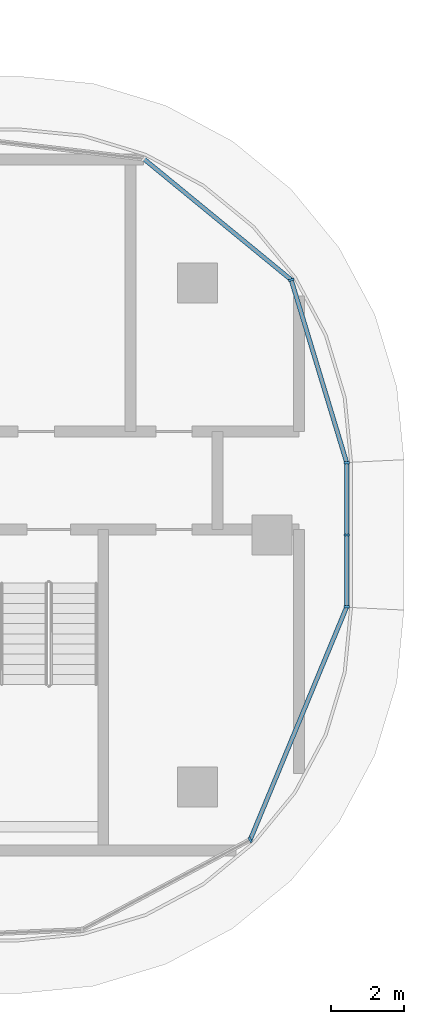
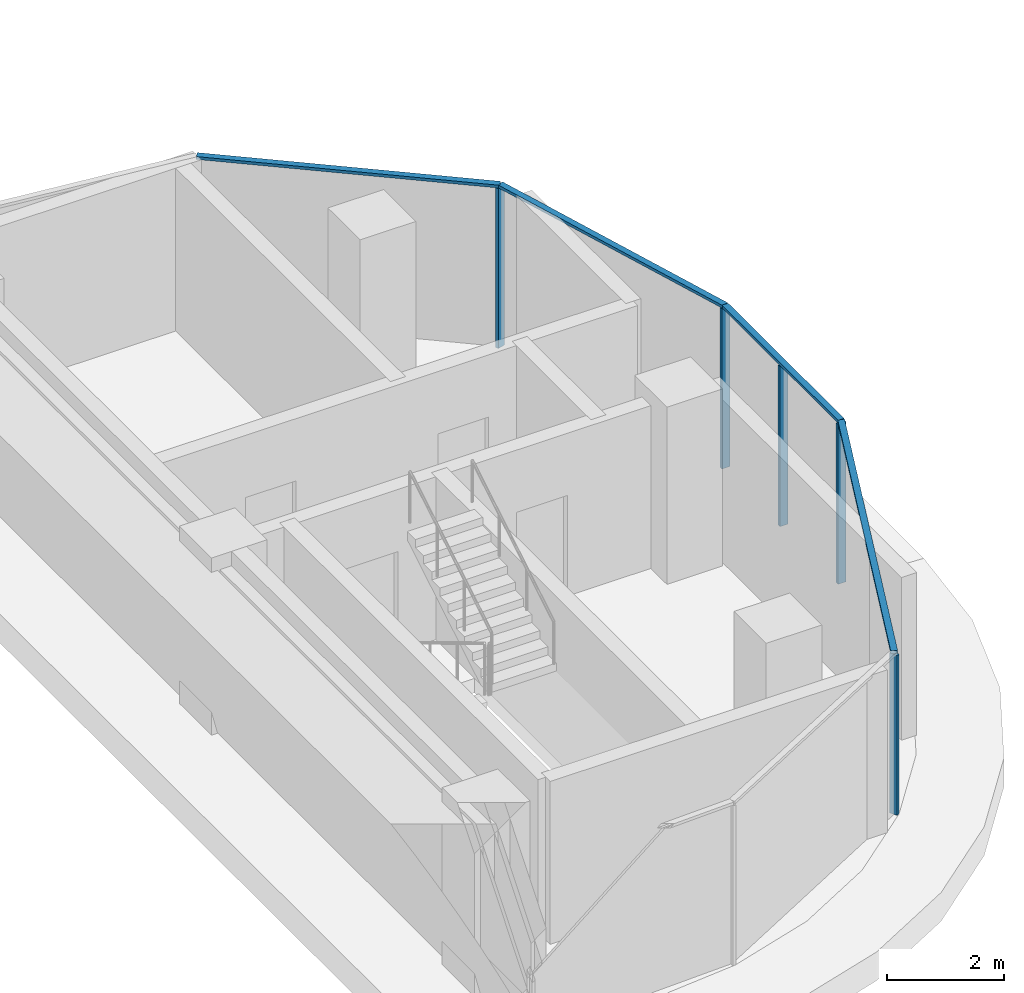
# One storey, part 8 of 26: 9 members, 3 elements without a shape of their own.
"""IFC4 building model written with IfcOpenShell, lengths in metres."""

from ifc_helpers import new_model, si_unit, direction, frame, origin, origin_2d, place, context, subcontext, project, spatial, rectangle, extrude, material, material_profile, profile_set, type_object, element, aggregate, save


model = new_model("IFC4")

# Units and contexts
model_context = context("Model", 3, precision=1e-05, world=origin(), true_north=direction((0.0, 1.0)))
body_context = subcontext(model_context, "Body", "Model", "MODEL_VIEW")
ifc_project = project(units=[si_unit("LENGTHUNIT", "METRE"), si_unit("AREAUNIT", "SQUARE_METRE"), si_unit("VOLUMEUNIT", "CUBIC_METRE"), si_unit("PLANEANGLEUNIT", "RADIAN"), si_unit("MASSUNIT", "GRAM", prefix="KILO")], contexts=[model_context])

# Site, building, storey
site_placement = place(None, origin())
site = spatial("IfcSite", under=ifc_project, at=site_placement, CompositionType="ELEMENT")
building_placement = place(site_placement, origin())
building = spatial("IfcBuilding", under=site, at=building_placement, Name="Ogive Portal Towers", CompositionType="ELEMENT")
storey_placement = place(building_placement, frame((0.0, 0.0, 171.800048828125)))
storey = spatial("IfcBuildingStorey", under=building, at=storey_placement, Name="L42", CompositionType="ELEMENT", Elevation=171.800048828125)

# Curtain wall, members
ifc_material_1 = material(Name="Glass, clear low-iron insulated glazing", Category="glass")
curtain_wall_type = type_object("IfcCurtainWallType", Name="CW FRONT RIBBON 4500", PredefinedType="NOTDEFINED", material=ifc_material_1)
curtain_wall_1_placement = place(storey_placement, origin())
curtain_wall_1 = element("IfcCurtainWall", 1, at=curtain_wall_1_placement, inside=storey, type_object=curtain_wall_type, Name="A:L42:f31:cw0", PredefinedType="NOTDEFINED")
ifc_material_2 = material(Name="Aluminium 6063 anodised", Category="aluminium")
ifc_material_profile_1 = material_profile(ifc_material_2, rectangle(XDim=0.159912109375, YDim=0.06005859375, at=origin_2d()), Name="AL 60x160")
ifc_profile_set_1 = profile_set([ifc_material_profile_1], Name="Aluminium 6063 anodised")
member_type_1 = type_object("IfcMemberType", Name="CW MULLION 60x160", PredefinedType="MULLION", material=ifc_profile_set_1)
member_1_placement = place(storey_placement, frame((96.56494140625, 28.515869140625, 0.0), z_axis=(0.0, 0.0, 1.0), x_axis=(-1.0, 0.0, 0.0)))
member_1 = element("IfcMember", 2, at=member_1_placement, type_object=member_type_1, Name="mullion", PredefinedType="MULLION", context=body_context, shape_type="SweptSolid", body=[
    extrude(rectangle(XDim=0.159912109375, YDim=0.06005859375, at=origin_2d()), origin(), (0.0, 0.0, 1.0), 3.33984375),
])
member_2_placement = place(storey_placement, frame((96.56494140625, 30.5, 0.0), z_axis=(0.0, 0.0, 1.0), x_axis=(-1.0, 0.0, 0.0)))
member_2 = element("IfcMember", 3, at=member_2_placement, type_object=member_type_1, Name="mullion", PredefinedType="MULLION", context=body_context, shape_type="SweptSolid", body=[
    extrude(rectangle(XDim=0.159912109375, YDim=0.06005859375, at=origin_2d()), origin(), (0.0, 0.0, 1.0), 3.33984375),
])
member_3_placement = place(storey_placement, frame((96.56494140625, 32.488037109375, 0.0), z_axis=(0.0, 0.0, 1.0), x_axis=(-1.0, 0.0, 0.0)))
member_3 = element("IfcMember", 4, at=member_3_placement, type_object=member_type_1, Name="mullion", PredefinedType="MULLION", context=body_context, shape_type="SweptSolid", body=[
    extrude(rectangle(XDim=0.159912109375, YDim=0.06005859375, at=origin_2d()), origin(), (0.0, 0.0, 1.0), 3.33984375),
])

# Curtain wall, member
curtain_wall_2_placement = place(storey_placement, origin())
curtain_wall_2 = element("IfcCurtainWall", 5, at=curtain_wall_2_placement, inside=storey, type_object=curtain_wall_type, Name="A:L42:f28:cwa", PredefinedType="NOTDEFINED")
member_4_placement = place(storey_placement, frame((93.903564453125, 22.090576171875, 0.0), z_axis=(0.0, 0.0, 1.0), x_axis=(-0.471396736826, 0.881921264348, 0.0)))
member_4 = element("IfcMember", 6, at=member_4_placement, type_object=member_type_1, Name="mullion", PredefinedType="MULLION", context=body_context, shape_type="SweptSolid", body=[
    extrude(rectangle(XDim=0.159912109375, YDim=0.06005859375, at=origin_2d()), origin(), (0.0, 0.0, 1.0), 3.33984375),
])

curtain_wall_3_placement = place(storey_placement, origin())
curtain_wall_3 = element("IfcCurtainWall", 7, at=curtain_wall_3_placement, inside=storey, type_object=curtain_wall_type, Name="A:L42:f32:cwa", PredefinedType="NOTDEFINED")
member_5_placement = place(storey_placement, frame((95.0341796875, 37.5341796875, 0.0), z_axis=(0.0, 0.0, 1.0), x_axis=(-0.956940335732, -0.290284677254, 0.0)))
member_5 = element("IfcMember", 8, at=member_5_placement, type_object=member_type_1, Name="mullion", PredefinedType="MULLION", context=body_context, shape_type="SweptSolid", body=[
    extrude(rectangle(XDim=0.159912109375, YDim=0.06005859375, at=origin_2d()), origin(), (0.0, 0.0, 1.0), 3.33984375),
])

# Member
ifc_material_profile_2 = material_profile(ifc_material_2, rectangle(XDim=0.1201171875, YDim=0.06005859375, at=origin_2d()), Name="AL 120x60")
ifc_profile_set_2 = profile_set([ifc_material_profile_2], Name="Aluminium 6063 anodised")
member_type_2 = type_object("IfcMemberType", Name="CW TRANSOM 60x120", PredefinedType="USERDEFINED", material=ifc_profile_set_2)
member_6_placement = place(storey_placement, frame((96.56494140625, 28.515869140625, 3.369873046875), z_axis=(0.0, 1.0, 0.0), x_axis=(-1.0, 0.0, 0.0)))
member_6 = element("IfcMember", 9, at=member_6_placement, type_object=member_type_2, Name="transom", ObjectType="TRANSOM", PredefinedType="USERDEFINED", context=body_context, shape_type="SweptSolid", body=[
    extrude(rectangle(XDim=0.1201171875, YDim=0.06005859375, at=origin_2d()), origin(), (0.0, 0.0, 1.0), 3.97216796875),
])

aggregate(curtain_wall_1, [member_6, member_1, member_2, member_3])

member_7_placement = place(storey_placement, frame((93.903564453125, 22.090576171875, 3.369873046875), z_axis=(0.38267526622, 0.923882914997, 0.0), x_axis=(-0.923882914997, 0.38267526622, 0.0)))
member_7 = element("IfcMember", 10, at=member_7_placement, type_object=member_type_2, Name="transom", ObjectType="TRANSOM", PredefinedType="USERDEFINED", context=body_context, shape_type="SweptSolid", body=[
    extrude(rectangle(XDim=0.1201171875, YDim=0.06005859375, at=origin_2d()), origin(), (0.0, 0.0, 1.0), 6.95458984375),
])

aggregate(curtain_wall_2, [member_7, member_4])

member_8_placement = place(storey_placement, frame((96.56494140625, 32.488037109375, 3.369873046875), z_axis=(-0.290290078471, 0.956938697275, 0.0), x_axis=(-0.956938697275, -0.290290078471, 0.0)))
member_8 = element("IfcMember", 11, at=member_8_placement, type_object=member_type_2, Name="transom", ObjectType="TRANSOM", PredefinedType="USERDEFINED", context=body_context, shape_type="SweptSolid", body=[
    extrude(rectangle(XDim=0.1201171875, YDim=0.06005859375, at=origin_2d()), origin(), (0.0, 0.0, 1.0), 5.273193359375),
])

member_9_placement = place(storey_placement, frame((95.0341796875, 37.5341796875, 3.369873046875), z_axis=(-0.773003353225, 0.634401935608, 0.0), x_axis=(-0.634401935608, -0.773003353225, 0.0)))
member_9 = element("IfcMember", 12, at=member_9_placement, type_object=member_type_2, Name="transom", ObjectType="TRANSOM", PredefinedType="USERDEFINED", context=body_context, shape_type="SweptSolid", body=[
    extrude(rectangle(XDim=0.1201171875, YDim=0.06005859375, at=origin_2d()), origin(), (0.0, 0.0, 1.0), 5.261474609375),
])

aggregate(curtain_wall_3, [member_8, member_9, member_5])

save(model, "model.ifc")
